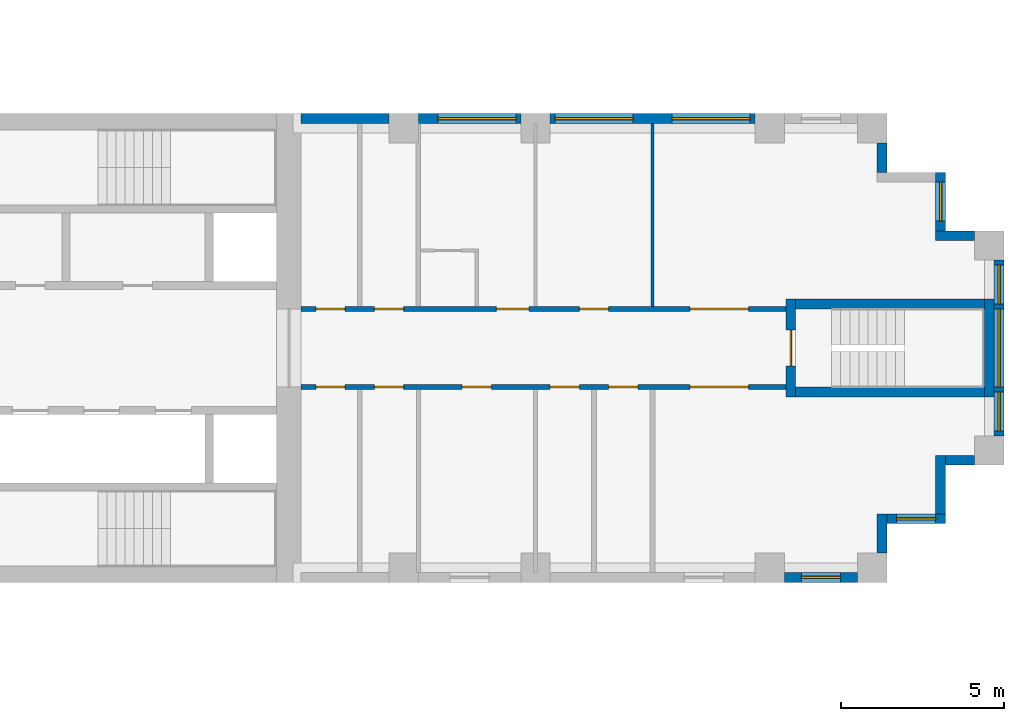
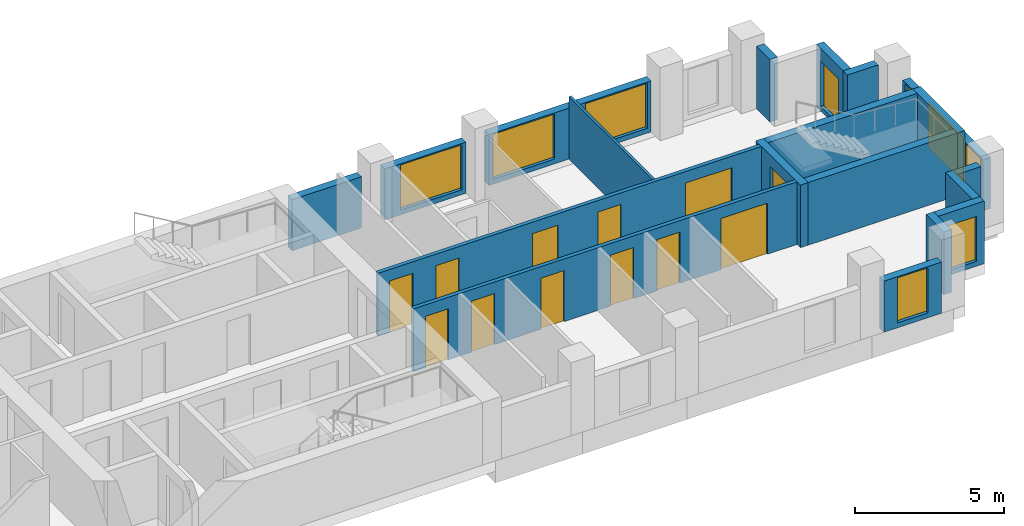
# One storey, part 10 of 13: 19 walls, 12 doors, 9 windows, 21 openings.
"""IFC4 building model written with IfcOpenShell, lengths in metres."""

from ifc_helpers import new_model, si_unit, direction, frame, frame_2d, origin, place, context, subcontext, project, spatial, rectangle, extrude, material, layer, layer_set, type_object, element, fill, save


model = new_model("IFC4")

# Units and contexts
model_context = context("Model", 3, precision=1e-05, world=origin(), true_north=direction((0.0, 1.0)))
body_context = subcontext(model_context, "Body", "Model", "MODEL_VIEW")
ifc_project = project(units=[si_unit("LENGTHUNIT", "METRE"), si_unit("AREAUNIT", "SQUARE_METRE"), si_unit("VOLUMEUNIT", "CUBIC_METRE"), si_unit("PLANEANGLEUNIT", "RADIAN"), si_unit("MASSUNIT", "GRAM", prefix="KILO")], contexts=[model_context])

# Site, building, storey
site_placement = place(None, origin())
site = spatial("IfcSite", under=ifc_project, at=site_placement, CompositionType="ELEMENT")
building_placement = place(site_placement, origin())
building = spatial("IfcBuilding", under=site, at=building_placement, Name="Fustian Cross Tower", CompositionType="ELEMENT")
storey_placement = place(building_placement, frame((0.0, 0.0, 75.89990234375)))
storey = spatial("IfcBuildingStorey", under=building, at=storey_placement, Name="L23", CompositionType="ELEMENT", Elevation=75.89990234375)

# Wall, openings, doors
ifc_material_1 = material(Name="Plasterboard on steel stud", Category="steel")
ifc_layer_1 = layer(ifc_material_1, 0.14990234375)
ifc_layer_set_1 = layer_set([ifc_layer_1], Name="Plasterboard on steel stud")
wall_type_1 = type_object("IfcWallType", Name="COMPARTMENT WALL 150 EI 60", PredefinedType="PARTITIONING", material=ifc_layer_set_1)
wall_1_placement = place(storey_placement, frame((21.60009765625, -1.199951171875, 0.0), z_axis=(0.0, 0.0, 1.0), x_axis=(1.0, 0.0, 0.0)))
wall_1 = element("IfcWall", 1, at=wall_1_placement, inside=storey, type_object=wall_type_1, Name="Partition 55", PredefinedType="PARTITIONING", context=body_context, shape_type="SweptSolid", body=[
    extrude(rectangle(XDim=14.89990234375, YDim=0.14990234375, at=frame_2d((7.449951171875, 0.0))), origin(), (0.0, 0.0, 1.0), 2.5751953125),
])
opening_1_placement = place(wall_1_placement, frame((0.449951171875, 0.0, 0.0)))
opening_1 = element("IfcOpeningElement", 2, at=opening_1_placement, cuts=wall_1, Name="Opening D12015", PredefinedType="OPENING", context=body_context, shape_type="SweptSolid", body=[
    extrude(rectangle(XDim=0.89990234375, YDim=2.10009765625, at=frame_2d((0.449951171875, 1.050048828125))), frame((0.0, 0.0849609375, 0.0), z_axis=(0.0, -1.0, 0.0), x_axis=(1.0, 0.0, 0.0)), (0.0, 0.0, 1.0), 0.169921875),
])
opening_2_placement = place(wall_1_placement, frame((2.25, 0.0, 0.0)))
opening_2 = element("IfcOpeningElement", 3, at=opening_2_placement, cuts=wall_1, Name="Opening D12016", PredefinedType="OPENING", context=body_context, shape_type="SweptSolid", body=[
    extrude(rectangle(XDim=0.89990234375, YDim=2.10009765625, at=frame_2d((0.449951171875, 1.050048828125))), frame((0.0, 0.0849609375, 0.0), z_axis=(0.0, -1.0, 0.0), x_axis=(1.0, 0.0, 0.0)), (0.0, 0.0, 1.0), 0.169921875),
])
opening_3_placement = place(wall_1_placement, frame((4.949951171875, 0.0, 0.0)))
opening_3 = element("IfcOpeningElement", 4, at=opening_3_placement, cuts=wall_1, Name="Opening D12017", PredefinedType="OPENING", context=body_context, shape_type="SweptSolid", body=[
    extrude(rectangle(XDim=0.89990234375, YDim=2.10009765625, at=frame_2d((0.449951171875, 1.050048828125))), frame((0.0, 0.0849609375, 0.0), z_axis=(0.0, -1.0, 0.0), x_axis=(1.0, 0.0, 0.0)), (0.0, 0.0, 1.0), 0.169921875),
])
opening_4_placement = place(wall_1_placement, frame((7.64990234375, 0.0, 0.0)))
opening_4 = element("IfcOpeningElement", 5, at=opening_4_placement, cuts=wall_1, Name="Opening D12018", PredefinedType="OPENING", context=body_context, shape_type="SweptSolid", body=[
    extrude(rectangle(XDim=0.89990234375, YDim=2.10009765625, at=frame_2d((0.449951171875, 1.050048828125))), frame((0.0, 0.0849609375, 0.0), z_axis=(0.0, -1.0, 0.0), x_axis=(1.0, 0.0, 0.0)), (0.0, 0.0, 1.0), 0.169921875),
])
opening_5_placement = place(wall_1_placement, frame((9.449951171875, 0.0, 0.0)))
opening_5 = element("IfcOpeningElement", 6, at=opening_5_placement, cuts=wall_1, Name="Opening D12019", PredefinedType="OPENING", context=body_context, shape_type="SweptSolid", body=[
    extrude(rectangle(XDim=0.89990234375, YDim=2.10009765625, at=frame_2d((0.449951171875, 1.050048828125))), frame((0.0, 0.0849609375, 0.0), z_axis=(0.0, -1.0, 0.0), x_axis=(1.0, 0.0, 0.0)), (0.0, 0.0, 1.0), 0.169921875),
])
opening_6_placement = place(wall_1_placement, frame((11.949951171875, 0.0, 0.0)))
opening_6 = element("IfcOpeningElement", 7, at=opening_6_placement, cuts=wall_1, Name="Opening D12020", PredefinedType="OPENING", context=body_context, shape_type="SweptSolid", body=[
    extrude(rectangle(XDim=1.800048828125, YDim=2.10009765625, at=frame_2d((0.89990234375, 1.050048828125))), frame((0.0, 0.0849609375, 0.0), z_axis=(0.0, -1.0, 0.0), x_axis=(1.0, 0.0, 0.0)), (0.0, 0.0, 1.0), 0.169921875),
])
ifc_material_2 = material(Name="Timber fire door set", Category="wood")
door_type_1 = type_object("IfcDoorType", Name="FIRE DOUBLE DOOR 1800 FD30S", OperationType="DOUBLE_DOOR_DOUBLE_SWING", PredefinedType="DOOR", material=ifc_material_2)
door_1_placement = place(opening_6_placement, origin())
door_1 = element("IfcDoor", 8, at=door_1_placement, inside=storey, type_object=door_type_1, Name="Door D12020", OperationType="DOUBLE_DOOR_DOUBLE_SWING", OverallHeight=2.10009765625, OverallWidth=1.800048828125, PredefinedType="DOOR", context=body_context, shape_type="SweptSolid", body=[
    extrude(rectangle(XDim=1.800048828125, YDim=2.10009765625, at=frame_2d((0.89990234375, 1.050048828125))), frame((0.0, 0.02490234375, 0.0), z_axis=(0.0, -1.0, 0.0), x_axis=(1.0, 0.0, 0.0)), (0.0, 0.0, 1.0), 0.050048828125),
])
fill(opening_6, door_1)
ifc_material_3 = material(Name="Timber fire door set", Category="wood")
door_type_2 = type_object("IfcDoorType", Name="FIRE SWING DOOR 900 FD30S", OperationType="SINGLE_SWING_LEFT", PredefinedType="DOOR", material=ifc_material_3)
door_2_placement = place(opening_1_placement, frame((0.89990234375, 0.0, 0.0), z_axis=(0.0, 0.0, 1.0), x_axis=(-1.0, 0.0, 0.0)))
door_2 = element("IfcDoor", 9, at=door_2_placement, inside=storey, type_object=door_type_2, Name="Door D12015", OperationType="SINGLE_SWING_LEFT", OverallHeight=2.10009765625, OverallWidth=0.89990234375, PredefinedType="DOOR", context=body_context, shape_type="SweptSolid", body=[
    extrude(rectangle(XDim=0.89990234375, YDim=2.10009765625, at=frame_2d((0.449951171875, 1.050048828125))), frame((0.0, 0.02490234375, 0.0), z_axis=(0.0, -1.0, 0.0), x_axis=(1.0, 0.0, 0.0)), (0.0, 0.0, 1.0), 0.050048828125),
])
fill(opening_1, door_2)
door_3_placement = place(opening_2_placement, frame((0.89990234375, 0.0, 0.0), z_axis=(0.0, 0.0, 1.0), x_axis=(-1.0, 0.0, 0.0)))
door_3 = element("IfcDoor", 10, at=door_3_placement, inside=storey, type_object=door_type_2, Name="Door D12016", OperationType="SINGLE_SWING_LEFT", OverallHeight=2.10009765625, OverallWidth=0.89990234375, PredefinedType="DOOR", context=body_context, shape_type="SweptSolid", body=[
    extrude(rectangle(XDim=0.89990234375, YDim=2.10009765625, at=frame_2d((0.449951171875, 1.050048828125))), frame((0.0, 0.02490234375, 0.0), z_axis=(0.0, -1.0, 0.0), x_axis=(1.0, 0.0, 0.0)), (0.0, 0.0, 1.0), 0.050048828125),
])
fill(opening_2, door_3)
door_4_placement = place(opening_3_placement, frame((0.89990234375, 0.0, 0.0), z_axis=(0.0, 0.0, 1.0), x_axis=(-1.0, 0.0, 0.0)))
door_4 = element("IfcDoor", 11, at=door_4_placement, inside=storey, type_object=door_type_2, Name="Door D12017", OperationType="SINGLE_SWING_RIGHT", OverallHeight=2.10009765625, OverallWidth=0.89990234375, PredefinedType="DOOR", context=body_context, shape_type="SweptSolid", body=[
    extrude(rectangle(XDim=0.89990234375, YDim=2.10009765625, at=frame_2d((0.449951171875, 1.050048828125))), frame((0.0, 0.02490234375, 0.0), z_axis=(0.0, -1.0, 0.0), x_axis=(1.0, 0.0, 0.0)), (0.0, 0.0, 1.0), 0.050048828125),
])
fill(opening_3, door_4)
door_5_placement = place(opening_4_placement, frame((0.89990234375, 0.0, 0.0), z_axis=(0.0, 0.0, 1.0), x_axis=(-1.0, 0.0, 0.0)))
door_5 = element("IfcDoor", 12, at=door_5_placement, inside=storey, type_object=door_type_2, Name="Door D12018", OperationType="SINGLE_SWING_LEFT", OverallHeight=2.10009765625, OverallWidth=0.89990234375, PredefinedType="DOOR", context=body_context, shape_type="SweptSolid", body=[
    extrude(rectangle(XDim=0.89990234375, YDim=2.10009765625, at=frame_2d((0.449951171875, 1.050048828125))), frame((0.0, 0.02490234375, 0.0), z_axis=(0.0, -1.0, 0.0), x_axis=(1.0, 0.0, 0.0)), (0.0, 0.0, 1.0), 0.050048828125),
])
fill(opening_4, door_5)
door_6_placement = place(opening_5_placement, frame((0.89990234375, 0.0, 0.0), z_axis=(0.0, 0.0, 1.0), x_axis=(-1.0, 0.0, 0.0)))
door_6 = element("IfcDoor", 13, at=door_6_placement, inside=storey, type_object=door_type_2, Name="Door D12019", OperationType="SINGLE_SWING_LEFT", OverallHeight=2.10009765625, OverallWidth=0.89990234375, PredefinedType="DOOR", context=body_context, shape_type="SweptSolid", body=[
    extrude(rectangle(XDim=0.89990234375, YDim=2.10009765625, at=frame_2d((0.449951171875, 1.050048828125))), frame((0.0, 0.02490234375, 0.0), z_axis=(0.0, -1.0, 0.0), x_axis=(1.0, 0.0, 0.0)), (0.0, 0.0, 1.0), 0.050048828125),
])
fill(opening_5, door_6)

wall_2_placement = place(storey_placement, frame((21.60009765625, 1.199951171875, 0.0), z_axis=(0.0, 0.0, 1.0), x_axis=(1.0, 0.0, 0.0)))
wall_2 = element("IfcWall", 14, at=wall_2_placement, inside=storey, type_object=wall_type_1, Name="Partition 56", PredefinedType="PARTITIONING", context=body_context, shape_type="SweptSolid", body=[
    extrude(rectangle(XDim=14.89990234375, YDim=0.14990234375, at=frame_2d((7.449951171875, 0.0))), origin(), (0.0, 0.0, 1.0), 2.5751953125),
])
opening_7_placement = place(wall_2_placement, frame((0.449951171875, 0.0, 0.0)))
opening_7 = element("IfcOpeningElement", 15, at=opening_7_placement, cuts=wall_2, Name="Opening D12009", PredefinedType="OPENING", context=body_context, shape_type="SweptSolid", body=[
    extrude(rectangle(XDim=0.89990234375, YDim=2.10009765625, at=frame_2d((0.449951171875, 1.050048828125))), frame((0.0, 0.0849609375, 0.0), z_axis=(0.0, -1.0, 0.0), x_axis=(1.0, 0.0, 0.0)), (0.0, 0.0, 1.0), 0.169921875),
])
opening_8_placement = place(wall_2_placement, frame((2.25, 0.0, 0.0)))
opening_8 = element("IfcOpeningElement", 16, at=opening_8_placement, cuts=wall_2, Name="Opening D12010", PredefinedType="OPENING", context=body_context, shape_type="SweptSolid", body=[
    extrude(rectangle(XDim=0.89990234375, YDim=2.10009765625, at=frame_2d((0.449951171875, 1.050048828125))), frame((0.0, 0.0849609375, 0.0), z_axis=(0.0, -1.0, 0.0), x_axis=(1.0, 0.0, 0.0)), (0.0, 0.0, 1.0), 0.169921875),
])
opening_9_placement = place(wall_2_placement, frame((6.0, 0.0, 0.0)))
opening_9 = element("IfcOpeningElement", 17, at=opening_9_placement, cuts=wall_2, Name="Opening D12012", PredefinedType="OPENING", context=body_context, shape_type="SweptSolid", body=[
    extrude(rectangle(XDim=1.0, YDim=2.10009765625, at=frame_2d((0.5, 1.050048828125))), frame((0.0, 0.0849609375, 0.0), z_axis=(0.0, -1.0, 0.0), x_axis=(1.0, 0.0, 0.0)), (0.0, 0.0, 1.0), 0.169921875),
])
opening_10_placement = place(wall_2_placement, frame((8.550048828125, 0.0, 0.0)))
opening_10 = element("IfcOpeningElement", 18, at=opening_10_placement, cuts=wall_2, Name="Opening D12013", PredefinedType="OPENING", context=body_context, shape_type="SweptSolid", body=[
    extrude(rectangle(XDim=0.89990234375, YDim=2.10009765625, at=frame_2d((0.449951171875, 1.050048828125))), frame((0.0, 0.0849609375, 0.0), z_axis=(0.0, -1.0, 0.0), x_axis=(1.0, 0.0, 0.0)), (0.0, 0.0, 1.0), 0.169921875),
])
opening_11_placement = place(wall_2_placement, frame((11.949951171875, 0.0, 0.0)))
opening_11 = element("IfcOpeningElement", 19, at=opening_11_placement, cuts=wall_2, Name="Opening D12014", PredefinedType="OPENING", context=body_context, shape_type="SweptSolid", body=[
    extrude(rectangle(XDim=1.800048828125, YDim=2.10009765625, at=frame_2d((0.89990234375, 1.050048828125))), frame((0.0, 0.0849609375, 0.0), z_axis=(0.0, -1.0, 0.0), x_axis=(1.0, 0.0, 0.0)), (0.0, 0.0, 1.0), 0.169921875),
])
door_7_placement = place(opening_11_placement, frame((1.800048828125, 0.0, 0.0), z_axis=(0.0, 0.0, 1.0), x_axis=(-1.0, 0.0, 0.0)))
door_7 = element("IfcDoor", 20, at=door_7_placement, inside=storey, type_object=door_type_1, Name="Door D12014", OperationType="DOUBLE_DOOR_DOUBLE_SWING", OverallHeight=2.10009765625, OverallWidth=1.800048828125, PredefinedType="DOOR", context=body_context, shape_type="SweptSolid", body=[
    extrude(rectangle(XDim=1.800048828125, YDim=2.10009765625, at=frame_2d((0.89990234375, 1.050048828125))), frame((0.0, 0.02490234375, 0.0), z_axis=(0.0, -1.0, 0.0), x_axis=(1.0, 0.0, 0.0)), (0.0, 0.0, 1.0), 0.050048828125),
])
fill(opening_11, door_7)
ifc_material_4 = material(Name="Timber fire door set", Category="wood")
door_type_3 = type_object("IfcDoorType", Name="FIRE SWING DOOR 1000 FD30S", OperationType="SINGLE_SWING_LEFT", PredefinedType="DOOR", material=ifc_material_4)
door_8_placement = place(opening_9_placement, origin())
door_8 = element("IfcDoor", 21, at=door_8_placement, inside=storey, type_object=door_type_3, Name="Door D12012", OperationType="SINGLE_SWING_RIGHT", OverallHeight=2.10009765625, OverallWidth=1.0, PredefinedType="DOOR", context=body_context, shape_type="SweptSolid", body=[
    extrude(rectangle(XDim=1.0, YDim=2.10009765625, at=frame_2d((0.5, 1.050048828125))), frame((0.0, 0.02490234375, 0.0), z_axis=(0.0, -1.0, 0.0), x_axis=(1.0, 0.0, 0.0)), (0.0, 0.0, 1.0), 0.050048828125),
])
fill(opening_9, door_8)
door_9_placement = place(opening_7_placement, frame((0.89990234375, 0.0, 0.0), z_axis=(0.0, 0.0, 1.0), x_axis=(-1.0, 0.0, 0.0)))
door_9 = element("IfcDoor", 22, at=door_9_placement, inside=storey, type_object=door_type_2, Name="Door D12009", OperationType="SINGLE_SWING_RIGHT", OverallHeight=2.10009765625, OverallWidth=0.89990234375, PredefinedType="DOOR", context=body_context, shape_type="SweptSolid", body=[
    extrude(rectangle(XDim=0.89990234375, YDim=2.10009765625, at=frame_2d((0.449951171875, 1.050048828125))), frame((0.0, 0.02490234375, 0.0), z_axis=(0.0, -1.0, 0.0), x_axis=(1.0, 0.0, 0.0)), (0.0, 0.0, 1.0), 0.050048828125),
])
fill(opening_7, door_9)
door_10_placement = place(opening_8_placement, origin())
door_10 = element("IfcDoor", 23, at=door_10_placement, inside=storey, type_object=door_type_2, Name="Door D12010", OperationType="SINGLE_SWING_RIGHT", OverallHeight=2.10009765625, OverallWidth=0.89990234375, PredefinedType="DOOR", context=body_context, shape_type="SweptSolid", body=[
    extrude(rectangle(XDim=0.89990234375, YDim=2.10009765625, at=frame_2d((0.449951171875, 1.050048828125))), frame((0.0, 0.02490234375, 0.0), z_axis=(0.0, -1.0, 0.0), x_axis=(1.0, 0.0, 0.0)), (0.0, 0.0, 1.0), 0.050048828125),
])
fill(opening_8, door_10)
door_11_placement = place(opening_10_placement, origin())
door_11 = element("IfcDoor", 24, at=door_11_placement, inside=storey, type_object=door_type_2, Name="Door D12013", OperationType="SINGLE_SWING_LEFT", OverallHeight=2.10009765625, OverallWidth=0.89990234375, PredefinedType="DOOR", context=body_context, shape_type="SweptSolid", body=[
    extrude(rectangle(XDim=0.89990234375, YDim=2.10009765625, at=frame_2d((0.449951171875, 1.050048828125))), frame((0.0, 0.02490234375, 0.0), z_axis=(0.0, -1.0, 0.0), x_axis=(1.0, 0.0, 0.0)), (0.0, 0.0, 1.0), 0.050048828125),
])
fill(opening_10, door_11)

# Wall
ifc_material_5 = material(Name="Plasterboard on steel stud", Category="steel")
ifc_layer_2 = layer(ifc_material_5, 0.10009765625)
ifc_layer_set_2 = layer_set([ifc_layer_2], Name="Plasterboard on steel stud")
wall_type_2 = type_object("IfcWallType", Name="PARTITION 100 STUD", PredefinedType="PARTITIONING", material=ifc_layer_set_2)
wall_3_placement = place(storey_placement, frame((32.39990234375, 1.27490234375, 0.0), z_axis=(0.0, 0.0, 1.0), x_axis=(0.0, 1.0, 0.0)))
element("IfcWall", 25, at=wall_3_placement, inside=storey, type_object=wall_type_2, Name="Partition 67", PredefinedType="PARTITIONING", context=body_context, shape_type="SweptSolid", body=[
    extrude(rectangle(XDim=5.625, YDim=0.10009765625, at=frame_2d((2.8125, 0.0))), origin(), (0.0, 0.0, 1.0), 2.5751953125),
])

# Wall, opening, door
ifc_material_6 = material(Name="Concrete C50/60", Category="concrete")
ifc_layer_3 = layer(ifc_material_6, 0.300048828125)
ifc_layer_set_3 = layer_set([ifc_layer_3], Name="Concrete C50/60")
wall_type_3 = type_object("IfcWallType", Name="STAIR ENCLOSURE WALL 300 C50/60", PredefinedType="SHEAR", material=ifc_layer_set_3)
wall_4_placement = place(storey_placement, frame((36.64990234375, -1.5, 0.0), z_axis=(0.0, 0.0, 1.0), x_axis=(0.0, 1.0, 0.0)))
wall_4 = element("IfcWall", 26, at=wall_4_placement, inside=storey, type_object=wall_type_3, Name="Stair enclosure wall", PredefinedType="SHEAR", context=body_context, shape_type="SweptSolid", body=[
    extrude(rectangle(XDim=3.0, YDim=0.300048828125, at=frame_2d((1.5, 0.0))), origin(), (0.0, 0.0, 1.0), 2.5751953125),
])
opening_12_placement = place(wall_4_placement, frame((0.949951171875, 0.0, 0.0)))
opening_12 = element("IfcOpeningElement", 27, at=opening_12_placement, cuts=wall_4, Name="Opening CD-10-32", PredefinedType="OPENING", context=body_context, shape_type="SweptSolid", body=[
    extrude(rectangle(XDim=1.10009765625, YDim=2.10009765625, at=frame_2d((0.550048828125, 1.050048828125))), frame((0.0, 0.159912109375, 0.0), z_axis=(0.0, -1.0, 0.0), x_axis=(1.0, 0.0, 0.0)), (0.0, 0.0, 1.0), 0.320068359375),
])
ifc_material_7 = material(Name="Steel", Category="steel")
door_type_4 = type_object("IfcDoorType", Name="FIRE DOOR FD60S 1100X2100", OperationType="SINGLE_SWING_LEFT", PredefinedType="DOOR", material=ifc_material_7)
door_12_placement = place(opening_12_placement, frame((1.10009765625, 0.0, 0.0), z_axis=(0.0, 0.0, 1.0), x_axis=(-1.0, 0.0, 0.0)))
door_12 = element("IfcDoor", 28, at=door_12_placement, inside=storey, type_object=door_type_4, Name="Core door CD-10-32", OperationType="SINGLE_SWING_RIGHT", OverallHeight=2.10009765625, OverallWidth=1.10009765625, PredefinedType="DOOR", context=body_context, shape_type="SweptSolid", body=[
    extrude(rectangle(XDim=1.10009765625, YDim=2.10009765625, at=frame_2d((0.550048828125, 1.050048828125))), frame((0.0, 0.02490234375, 0.0), z_axis=(0.0, -1.0, 0.0), x_axis=(1.0, 0.0, 0.0)), (0.0, 0.0, 1.0), 0.050048828125),
])
fill(opening_12, door_12)

# Walls
wall_5_placement = place(storey_placement, frame((42.75, -1.5, 0.0), z_axis=(0.0, 0.0, 1.0), x_axis=(0.0, 1.0, 0.0)))
element("IfcWall", 29, at=wall_5_placement, inside=storey, type_object=wall_type_3, Name="Stair enclosure wall", PredefinedType="SHEAR", context=body_context, shape_type="SweptSolid", body=[
    extrude(rectangle(XDim=3.0, YDim=0.300048828125, at=frame_2d((1.5, 0.0))), origin(), (0.0, 0.0, 1.0), 2.5751953125),
])
for number, where, z_axis, x_axis, name in (
    (30, (36.800048828125, -1.35009765625, 0.0), (0.0, 0.0, 1.0), (1.0, 0.0, 0.0), "Stair enclosure wall"),
    (31, (36.800048828125, 1.35009765625, 0.0), (0.0, 0.0, 1.0), (1.0, 0.0, 0.0), "Stair enclosure wall"),
):
    element("IfcWall", number, at=place(storey_placement, frame(where, z_axis=z_axis, x_axis=x_axis)), inside=storey, type_object=wall_type_3, Name=name, PredefinedType="SHEAR", context=body_context, shape_type="SweptSolid", body=[
        extrude(rectangle(XDim=5.800048828125, YDim=0.300048828125, at=frame_2d((2.89990234375, 0.0))), origin(), (0.0, 0.0, 1.0), 2.5751953125),
    ])

# Wall, opening, window
ifc_material_8 = material(Name="Dark aluminium cladding on insulated backing wall", Category="aluminium")
ifc_layer_4 = layer(ifc_material_8, 0.300048828125)
ifc_layer_set_4 = layer_set([ifc_layer_4], Name="Dark aluminium cladding on insulated backing wall")
wall_type_4 = type_object("IfcWallType", Name="XW1 EXTERNAL WALL 300", PredefinedType="SOLIDWALL", material=ifc_layer_set_4)
wall_6_placement = place(storey_placement, frame((36.449951171875, -7.050048828125, 0.0), z_axis=(0.0, 0.0, 1.0), x_axis=(1.0, 0.0, 0.0)))
wall_6 = element("IfcWall", 32, at=wall_6_placement, inside=storey, type_object=wall_type_4, Name="External wall", PredefinedType="SOLIDWALL", context=body_context, shape_type="SweptSolid", body=[
    extrude(rectangle(XDim=2.25, YDim=0.300048828125, at=frame_2d((1.125, 0.0))), origin(), (0.0, 0.0, 1.0), 2.10009765625),
])
opening_13_placement = place(wall_6_placement, frame((0.52490234375, 0.0, 0.199951171875)))
opening_13 = element("IfcOpeningElement", 33, at=opening_13_placement, cuts=wall_6, Name="Opening WN3", PredefinedType="OPENING", context=body_context, shape_type="SweptSolid", body=[
    extrude(rectangle(XDim=1.199951171875, YDim=1.85009765625, at=frame_2d((0.60009765625, 0.925048828125))), frame((0.0, 0.159912109375, 0.0), z_axis=(0.0, -1.0, 0.0), x_axis=(1.0, 0.0, 0.0)), (0.0, 0.0, 1.0), 0.320068359375),
])
ifc_material_9 = material(Name="Dark anodised aluminium and double glazing", Category="aluminium")
window_type_1 = type_object("IfcWindowType", Name="WN3 WINDOW 1200X1850", PartitioningType="SINGLE_PANEL", PredefinedType="WINDOW", material=ifc_material_9)
window_1_placement = place(opening_13_placement, origin())
window_1 = element("IfcWindow", 34, at=window_1_placement, inside=storey, type_object=window_type_1, Name="Window", OverallHeight=1.85009765625, OverallWidth=1.199951171875, PartitioningType="SINGLE_PANEL", PredefinedType="WINDOW", context=body_context, shape_type="SweptSolid", body=[
    extrude(rectangle(XDim=1.199951171875, YDim=1.85009765625, at=frame_2d((0.60009765625, 0.925048828125))), frame((0.0, 0.030029296875, 0.0), z_axis=(0.0, -1.0, 0.0), x_axis=(1.0, 0.0, 0.0)), (0.0, 0.0, 1.0), 0.06005859375),
])
fill(opening_13, window_1)

# Wall
wall_7_placement = place(storey_placement, frame((39.449951171875, -6.300048828125, 0.0), z_axis=(0.0, 0.0, 1.0), x_axis=(0.0, 1.0, 0.0)))
element("IfcWall", 35, at=wall_7_placement, inside=storey, type_object=wall_type_4, Name="External wall", PredefinedType="SOLIDWALL", context=body_context, shape_type="SweptSolid", body=[
    extrude(rectangle(XDim=1.199951171875, YDim=0.300048828125, at=frame_2d((0.60009765625, 0.0))), origin(), (0.0, 0.0, 1.0), 2.5751953125),
])

# Wall, opening, window
wall_8_placement = place(storey_placement, frame((39.60009765625, -5.25, 0.0), z_axis=(0.0, 0.0, 1.0), x_axis=(1.0, 0.0, 0.0)))
wall_8 = element("IfcWall", 36, at=wall_8_placement, inside=storey, type_object=wall_type_4, Name="External wall", PredefinedType="SOLIDWALL", context=body_context, shape_type="SweptSolid", body=[
    extrude(rectangle(XDim=1.7998046875, YDim=0.300048828125, at=frame_2d((0.89990234375, 0.0))), origin(), (0.0, 0.0, 1.0), 2.5751953125),
])
opening_14_placement = place(wall_8_placement, frame((0.300048828125, 0.0, 0.199951171875)))
opening_14 = element("IfcOpeningElement", 37, at=opening_14_placement, cuts=wall_8, Name="Opening WN3", PredefinedType="OPENING", context=body_context, shape_type="SweptSolid", body=[
    extrude(rectangle(XDim=1.199951171875, YDim=1.85009765625, at=frame_2d((0.60009765625, 0.925048828125))), frame((0.0, 0.159912109375, 0.0), z_axis=(0.0, -1.0, 0.0), x_axis=(1.0, 0.0, 0.0)), (0.0, 0.0, 1.0), 0.320068359375),
])
window_2_placement = place(opening_14_placement, origin())
window_2 = element("IfcWindow", 38, at=window_2_placement, inside=storey, type_object=window_type_1, Name="Window", OverallHeight=1.85009765625, OverallWidth=1.199951171875, PartitioningType="SINGLE_PANEL", PredefinedType="WINDOW", context=body_context, shape_type="SweptSolid", body=[
    extrude(rectangle(XDim=1.199951171875, YDim=1.85009765625, at=frame_2d((0.60009765625, 0.925048828125))), frame((0.0, 0.030029296875, 0.0), z_axis=(0.0, -1.0, 0.0), x_axis=(1.0, 0.0, 0.0)), (0.0, 0.0, 1.0), 0.06005859375),
])
fill(opening_14, window_2)

# Walls
wall_9_placement = place(storey_placement, frame((41.25, -5.10009765625, 0.0), z_axis=(0.0, 0.0, 1.0), x_axis=(0.0, 1.0, 0.0)))
element("IfcWall", 39, at=wall_9_placement, inside=storey, type_object=wall_type_4, Name="External wall", PredefinedType="SOLIDWALL", context=body_context, shape_type="SweptSolid", body=[
    extrude(rectangle(XDim=1.800048828125, YDim=0.300048828125, at=frame_2d((0.89990234375, 0.0))), origin(), (0.0, 0.0, 1.0), 2.5751953125),
])
wall_10_placement = place(storey_placement, frame((41.39990234375, -3.449951171875, 0.0), z_axis=(0.0, 0.0, 1.0), x_axis=(1.0, 0.0, 0.0)))
element("IfcWall", 40, at=wall_10_placement, inside=storey, type_object=wall_type_4, Name="External wall", PredefinedType="SOLIDWALL", context=body_context, shape_type="SweptSolid", body=[
    extrude(rectangle(XDim=0.900146484375, YDim=0.300048828125, at=frame_2d((0.4501953125, 0.0))), origin(), (0.0, 0.0, 1.0), 2.5751953125),
])

# Wall, openings, windows
wall_11_placement = place(storey_placement, frame((43.050048828125, -2.699951171875, 0.0), z_axis=(0.0, 0.0, 1.0), x_axis=(0.0, 1.0, 0.0)))
wall_11 = element("IfcWall", 41, at=wall_11_placement, inside=storey, type_object=wall_type_4, Name="External wall", PredefinedType="SOLIDWALL", context=body_context, shape_type="SweptSolid", body=[
    extrude(rectangle(XDim=5.39990234375, YDim=0.300048828125, at=frame_2d((2.699951171875, 0.0))), origin(), (0.0, 0.0, 1.0), 2.10009765625),
])
opening_15_placement = place(wall_11_placement, frame((1.5, 0.0, 0.199951171875)))
opening_15 = element("IfcOpeningElement", 42, at=opening_15_placement, cuts=wall_11, Name="Opening WN1", PredefinedType="OPENING", context=body_context, shape_type="SweptSolid", body=[
    extrude(rectangle(XDim=2.39990234375, YDim=1.85009765625, at=frame_2d((1.199951171875, 0.925048828125))), frame((0.0, 0.159912109375, 0.0), z_axis=(0.0, -1.0, 0.0), x_axis=(1.0, 0.0, 0.0)), (0.0, 0.0, 1.0), 0.320068359375),
])
opening_16_placement = place(wall_11_placement, frame((0.14990234375, 0.0, 0.199951171875)))
opening_16 = element("IfcOpeningElement", 43, at=opening_16_placement, cuts=wall_11, Name="Opening WN3", PredefinedType="OPENING", context=body_context, shape_type="SweptSolid", body=[
    extrude(rectangle(XDim=1.199951171875, YDim=1.85009765625, at=frame_2d((0.60009765625, 0.925048828125))), frame((0.0, 0.159912109375, 0.0), z_axis=(0.0, -1.0, 0.0), x_axis=(1.0, 0.0, 0.0)), (0.0, 0.0, 1.0), 0.320068359375),
])
opening_17_placement = place(wall_11_placement, frame((4.050048828125, 0.0, 0.199951171875)))
opening_17 = element("IfcOpeningElement", 44, at=opening_17_placement, cuts=wall_11, Name="Opening WN3", PredefinedType="OPENING", context=body_context, shape_type="SweptSolid", body=[
    extrude(rectangle(XDim=1.199951171875, YDim=1.85009765625, at=frame_2d((0.60009765625, 0.925048828125))), frame((0.0, 0.159912109375, 0.0), z_axis=(0.0, -1.0, 0.0), x_axis=(1.0, 0.0, 0.0)), (0.0, 0.0, 1.0), 0.320068359375),
])
ifc_material_10 = material(Name="Dark anodised aluminium and double glazing", Category="aluminium")
window_type_2 = type_object("IfcWindowType", Name="WN1 WINDOW 2400X1850", PartitioningType="SINGLE_PANEL", PredefinedType="WINDOW", material=ifc_material_10)
window_3_placement = place(opening_15_placement, origin())
window_3 = element("IfcWindow", 45, at=window_3_placement, inside=storey, type_object=window_type_2, Name="Window", OverallHeight=1.85009765625, OverallWidth=2.39990234375, PartitioningType="SINGLE_PANEL", PredefinedType="WINDOW", context=body_context, shape_type="SweptSolid", body=[
    extrude(rectangle(XDim=2.39990234375, YDim=1.85009765625, at=frame_2d((1.199951171875, 0.925048828125))), frame((0.0, 0.030029296875, 0.0), z_axis=(0.0, -1.0, 0.0), x_axis=(1.0, 0.0, 0.0)), (0.0, 0.0, 1.0), 0.06005859375),
])
fill(opening_15, window_3)
window_4_placement = place(opening_16_placement, origin())
window_4 = element("IfcWindow", 46, at=window_4_placement, inside=storey, type_object=window_type_1, Name="Window", OverallHeight=1.85009765625, OverallWidth=1.199951171875, PartitioningType="SINGLE_PANEL", PredefinedType="WINDOW", context=body_context, shape_type="SweptSolid", body=[
    extrude(rectangle(XDim=1.199951171875, YDim=1.85009765625, at=frame_2d((0.60009765625, 0.925048828125))), frame((0.0, 0.030029296875, 0.0), z_axis=(0.0, -1.0, 0.0), x_axis=(1.0, 0.0, 0.0)), (0.0, 0.0, 1.0), 0.06005859375),
])
fill(opening_16, window_4)
window_5_placement = place(opening_17_placement, origin())
window_5 = element("IfcWindow", 47, at=window_5_placement, inside=storey, type_object=window_type_1, Name="Window", OverallHeight=1.85009765625, OverallWidth=1.199951171875, PartitioningType="SINGLE_PANEL", PredefinedType="WINDOW", context=body_context, shape_type="SweptSolid", body=[
    extrude(rectangle(XDim=1.199951171875, YDim=1.85009765625, at=frame_2d((0.60009765625, 0.925048828125))), frame((0.0, 0.030029296875, 0.0), z_axis=(0.0, -1.0, 0.0), x_axis=(1.0, 0.0, 0.0)), (0.0, 0.0, 1.0), 0.06005859375),
])
fill(opening_17, window_5)

# Wall
wall_12_placement = place(storey_placement, frame((42.300048828125, 3.449951171875, 0.0), z_axis=(0.0, 0.0, 1.0), x_axis=(-1.0, 0.0, 0.0)))
element("IfcWall", 48, at=wall_12_placement, inside=storey, type_object=wall_type_4, Name="External wall", PredefinedType="SOLIDWALL", context=body_context, shape_type="SweptSolid", body=[
    extrude(rectangle(XDim=1.199951171875, YDim=0.300048828125, at=frame_2d((0.60009765625, 0.0))), origin(), (0.0, 0.0, 1.0), 2.5751953125),
])

# Wall, opening, window
wall_13_placement = place(storey_placement, frame((41.25, 3.60009765625, 0.0), z_axis=(0.0, 0.0, 1.0), x_axis=(0.0, 1.0, 0.0)))
wall_13 = element("IfcWall", 49, at=wall_13_placement, inside=storey, type_object=wall_type_4, Name="External wall", PredefinedType="SOLIDWALL", context=body_context, shape_type="SweptSolid", body=[
    extrude(rectangle(XDim=1.7998046875, YDim=0.300048828125, at=frame_2d((0.89990234375, 0.0))), origin(), (0.0, 0.0, 1.0), 2.5751953125),
])
opening_18_placement = place(wall_13_placement, frame((0.300048828125, 0.0, 0.199951171875)))
opening_18 = element("IfcOpeningElement", 50, at=opening_18_placement, cuts=wall_13, Name="Opening WN3", PredefinedType="OPENING", context=body_context, shape_type="SweptSolid", body=[
    extrude(rectangle(XDim=1.199951171875, YDim=1.85009765625, at=frame_2d((0.60009765625, 0.925048828125))), frame((0.0, 0.159912109375, 0.0), z_axis=(0.0, -1.0, 0.0), x_axis=(1.0, 0.0, 0.0)), (0.0, 0.0, 1.0), 0.320068359375),
])
window_6_placement = place(opening_18_placement, origin())
window_6 = element("IfcWindow", 51, at=window_6_placement, inside=storey, type_object=window_type_1, Name="Window", OverallHeight=1.85009765625, OverallWidth=1.199951171875, PartitioningType="SINGLE_PANEL", PredefinedType="WINDOW", context=body_context, shape_type="SweptSolid", body=[
    extrude(rectangle(XDim=1.199951171875, YDim=1.85009765625, at=frame_2d((0.60009765625, 0.925048828125))), frame((0.0, 0.030029296875, 0.0), z_axis=(0.0, -1.0, 0.0), x_axis=(1.0, 0.0, 0.0)), (0.0, 0.0, 1.0), 0.06005859375),
])
fill(opening_18, window_6)

# Wall
wall_14_placement = place(storey_placement, frame((39.449951171875, 5.39990234375, 0.0), z_axis=(0.0, 0.0, 1.0), x_axis=(0.0, 1.0, 0.0)))
element("IfcWall", 52, at=wall_14_placement, inside=storey, type_object=wall_type_4, Name="External wall", PredefinedType="SOLIDWALL", context=body_context, shape_type="SweptSolid", body=[
    extrude(rectangle(XDim=0.900146484375, YDim=0.300048828125, at=frame_2d((0.4501953125, 0.0))), origin(), (0.0, 0.0, 1.0), 2.5751953125),
])

# Wall, openings, windows
wall_15_placement = place(storey_placement, frame((35.550048828125, 7.050048828125, 0.0), z_axis=(0.0, 0.0, 1.0), x_axis=(-1.0, 0.0, 0.0)))
wall_15 = element("IfcWall", 53, at=wall_15_placement, inside=storey, type_object=wall_type_4, Name="External wall", PredefinedType="SOLIDWALL", context=body_context, shape_type="SweptSolid", body=[
    extrude(rectangle(XDim=6.300048828125, YDim=0.300048828125, at=frame_2d((3.14990234375, 0.0))), origin(), (0.0, 0.0, 1.0), 2.10009765625),
])
opening_19_placement = place(wall_15_placement, frame((0.14990234375, 0.0, 0.199951171875)))
opening_19 = element("IfcOpeningElement", 54, at=opening_19_placement, cuts=wall_15, Name="Opening WN1", PredefinedType="OPENING", context=body_context, shape_type="SweptSolid", body=[
    extrude(rectangle(XDim=2.39990234375, YDim=1.85009765625, at=frame_2d((1.199951171875, 0.925048828125))), frame((0.0, 0.159912109375, 0.0), z_axis=(0.0, -1.0, 0.0), x_axis=(1.0, 0.0, 0.0)), (0.0, 0.0, 1.0), 0.320068359375),
])
opening_20_placement = place(wall_15_placement, frame((3.75, 0.0, 0.199951171875)))
opening_20 = element("IfcOpeningElement", 55, at=opening_20_placement, cuts=wall_15, Name="Opening WN1", PredefinedType="OPENING", context=body_context, shape_type="SweptSolid", body=[
    extrude(rectangle(XDim=2.39990234375, YDim=1.85009765625, at=frame_2d((1.199951171875, 0.925048828125))), frame((0.0, 0.159912109375, 0.0), z_axis=(0.0, -1.0, 0.0), x_axis=(1.0, 0.0, 0.0)), (0.0, 0.0, 1.0), 0.320068359375),
])
window_7_placement = place(opening_19_placement, origin())
window_7 = element("IfcWindow", 56, at=window_7_placement, inside=storey, type_object=window_type_2, Name="Window", OverallHeight=1.85009765625, OverallWidth=2.39990234375, PartitioningType="SINGLE_PANEL", PredefinedType="WINDOW", context=body_context, shape_type="SweptSolid", body=[
    extrude(rectangle(XDim=2.39990234375, YDim=1.85009765625, at=frame_2d((1.199951171875, 0.925048828125))), frame((0.0, 0.030029296875, 0.0), z_axis=(0.0, -1.0, 0.0), x_axis=(1.0, 0.0, 0.0)), (0.0, 0.0, 1.0), 0.06005859375),
])
fill(opening_19, window_7)
window_8_placement = place(opening_20_placement, origin())
window_8 = element("IfcWindow", 57, at=window_8_placement, inside=storey, type_object=window_type_2, Name="Window", OverallHeight=1.85009765625, OverallWidth=2.39990234375, PartitioningType="SINGLE_PANEL", PredefinedType="WINDOW", context=body_context, shape_type="SweptSolid", body=[
    extrude(rectangle(XDim=2.39990234375, YDim=1.85009765625, at=frame_2d((1.199951171875, 0.925048828125))), frame((0.0, 0.030029296875, 0.0), z_axis=(0.0, -1.0, 0.0), x_axis=(1.0, 0.0, 0.0)), (0.0, 0.0, 1.0), 0.06005859375),
])
fill(opening_20, window_8)

# Wall, opening, window
wall_16_placement = place(storey_placement, frame((28.35009765625, 7.050048828125, 0.0), z_axis=(0.0, 0.0, 1.0), x_axis=(-1.0, 0.0, 0.0)))
wall_16 = element("IfcWall", 58, at=wall_16_placement, inside=storey, type_object=wall_type_4, Name="External wall", PredefinedType="SOLIDWALL", context=body_context, shape_type="SweptSolid", body=[
    extrude(rectangle(XDim=3.150146484375, YDim=0.300048828125, at=frame_2d((1.5751953125, 0.0))), origin(), (0.0, 0.0, 1.0), 2.10009765625),
])
opening_21_placement = place(wall_16_placement, frame((0.14990234375, 0.0, 0.199951171875)))
opening_21 = element("IfcOpeningElement", 59, at=opening_21_placement, cuts=wall_16, Name="Opening WN1", PredefinedType="OPENING", context=body_context, shape_type="SweptSolid", body=[
    extrude(rectangle(XDim=2.39990234375, YDim=1.85009765625, at=frame_2d((1.199951171875, 0.925048828125))), frame((0.0, 0.159912109375, 0.0), z_axis=(0.0, -1.0, 0.0), x_axis=(1.0, 0.0, 0.0)), (0.0, 0.0, 1.0), 0.320068359375),
])
window_9_placement = place(opening_21_placement, origin())
window_9 = element("IfcWindow", 60, at=window_9_placement, inside=storey, type_object=window_type_2, Name="Window", OverallHeight=1.85009765625, OverallWidth=2.39990234375, PartitioningType="SINGLE_PANEL", PredefinedType="WINDOW", context=body_context, shape_type="SweptSolid", body=[
    extrude(rectangle(XDim=2.39990234375, YDim=1.85009765625, at=frame_2d((1.199951171875, 0.925048828125))), frame((0.0, 0.030029296875, 0.0), z_axis=(0.0, -1.0, 0.0), x_axis=(1.0, 0.0, 0.0)), (0.0, 0.0, 1.0), 0.06005859375),
])
fill(opening_21, window_9)

# Wall
wall_17_placement = place(storey_placement, frame((24.300048828125, 7.050048828125, 0.0), z_axis=(0.0, 0.0, 1.0), x_axis=(-1.0, 0.0, 0.0)))
element("IfcWall", 61, at=wall_17_placement, inside=storey, type_object=wall_type_4, Name="External wall", PredefinedType="SOLIDWALL", context=body_context, shape_type="SweptSolid", body=[
    extrude(rectangle(XDim=2.699951171875, YDim=0.300048828125, at=frame_2d((1.35009765625, 0.0))), origin(), (0.0, 0.0, 1.0), 2.10009765625),
])

save(model, "model.ifc")
